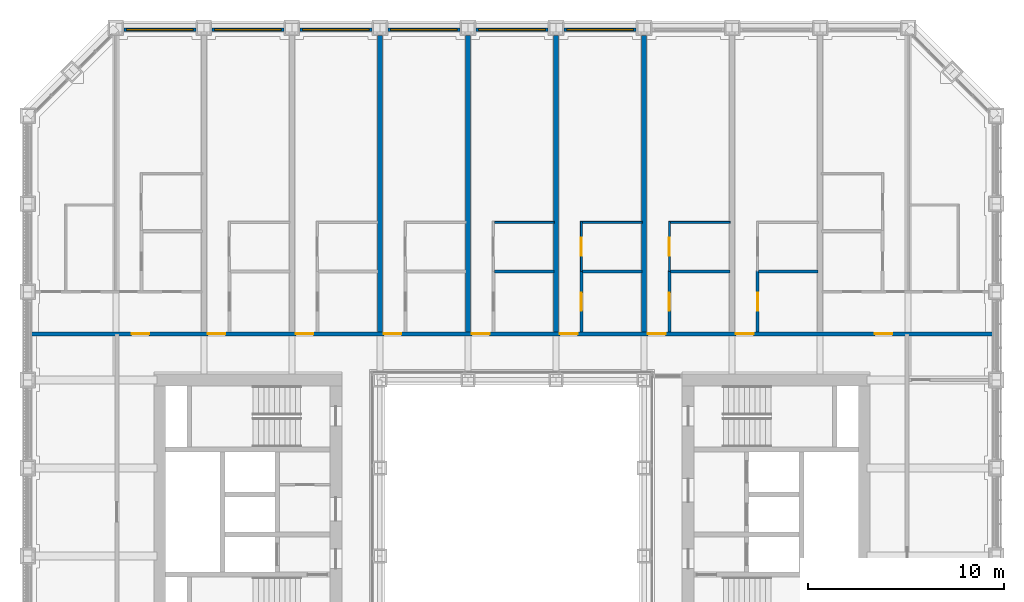
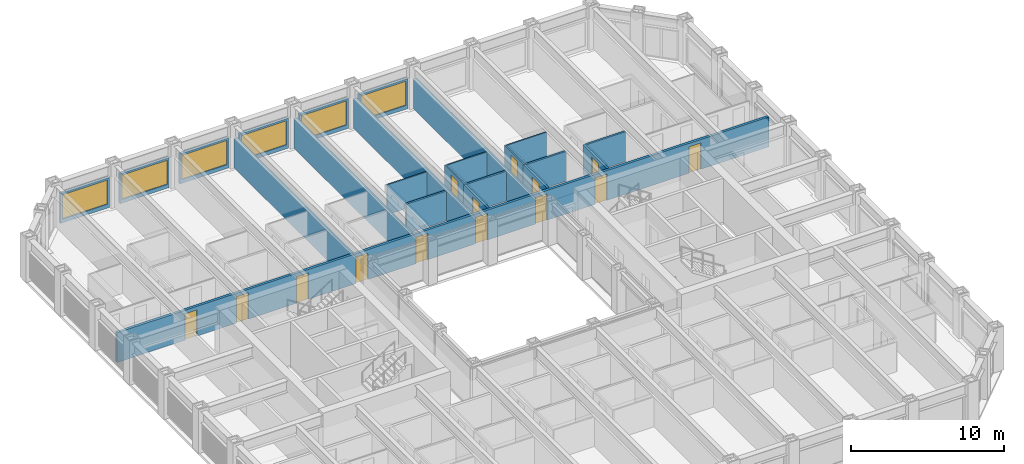
# One storey, part 14 of 21: 23 walls, 14 doors, 6 windows, 20 openings.
"""IFC4 building model written with IfcOpenShell, lengths in metres."""

from ifc_helpers import new_model, si_unit, direction, frame, frame_2d, origin, place, context, subcontext, project, spatial, rectangle, extrude, material, layer, layer_set, type_object, element, fill, save


model = new_model("IFC4")

# Units and contexts
model_context = context("Model", 3, precision=1e-05, world=origin(), true_north=direction((0.0, 1.0)))
body_context = subcontext(model_context, "Body", "Model", "MODEL_VIEW")
ifc_project = project(units=[si_unit("LENGTHUNIT", "METRE"), si_unit("AREAUNIT", "SQUARE_METRE"), si_unit("VOLUMEUNIT", "CUBIC_METRE"), si_unit("PLANEANGLEUNIT", "RADIAN"), si_unit("MASSUNIT", "GRAM", prefix="KILO")], contexts=[model_context])

# Site, building, storey
site_placement = place(None, origin())
site = spatial("IfcSite", under=ifc_project, at=site_placement, CompositionType="ELEMENT")
building_placement = place(site_placement, origin())
building = spatial("IfcBuilding", under=site, at=building_placement, Name="Msasa Ring Tower", CompositionType="ELEMENT")
storey_placement = place(building_placement, frame((0.0, 0.0, 30.0)))
storey = spatial("IfcBuildingStorey", under=building, at=storey_placement, Name="L06", CompositionType="ELEMENT", Elevation=30.0)

# Wall, opening, window
ifc_material_1 = material(Name="Terracotta rainscreen on blockwork", Category="masonry")
ifc_layer_1 = layer(ifc_material_1, 0.199951171875)
ifc_layer_set_1 = layer_set([ifc_layer_1], Name="FW1 TERRACOTTA-LINED INFILL BAY WALL 200")
wall_type_1 = type_object("IfcWallType", Name="FW1 TERRACOTTA-LINED INFILL BAY WALL 200", PredefinedType="SOLIDWALL", material=ifc_layer_set_1)
wall_1_placement = place(storey_placement, frame((-19.844970703125, 24.64990234375, 0.0), z_axis=(0.0, 0.0, 1.0), x_axis=(1.0, 0.0, 0.0)))
wall_1 = element("IfcWall", 1, at=wall_1_placement, inside=storey, type_object=wall_type_1, Name="Infill bay wall N L06 22", PredefinedType="SOLIDWALL", context=body_context, shape_type="SweptSolid", body=[
    extrude(rectangle(XDim=3.68994140625, YDim=0.199951171875, at=frame_2d((1.844970703125, 0.0))), origin(), (0.0, 0.0, 1.0), 2.37890625),
])
opening_1_placement = place(wall_1_placement, frame((0.14501953125, 0.0, 0.300048828125)))
opening_1 = element("IfcOpeningElement", 2, at=opening_1_placement, cuts=wall_1, Name="Opening WN1", PredefinedType="OPENING", context=body_context, shape_type="SweptSolid", body=[
    extrude(rectangle(XDim=3.39990234375, YDim=1.928955078125, at=frame_2d((1.699951171875, 0.96435546875))), frame((0.0, 0.10986328125, 0.0), z_axis=(0.0, -1.0, 0.0), x_axis=(1.0, 0.0, 0.0)), (0.0, 0.0, 1.0), 0.219970703125),
])
ifc_material_2 = material(Name="Aluminium frame with clear glass", Category="aluminium")
window_type = type_object("IfcWindowType", Name="WN1 RESIDENCE WINDOW 3400x1929", PartitioningType="SINGLE_PANEL", PredefinedType="WINDOW", material=ifc_material_2)
window_1_placement = place(opening_1_placement, origin())
window_1 = element("IfcWindow", 3, at=window_1_placement, inside=storey, type_object=window_type, Name="Window N L06 22", OverallHeight=1.928955078125, OverallWidth=3.39990234375, PartitioningType="SINGLE_PANEL", PredefinedType="WINDOW", context=body_context, shape_type="SweptSolid", body=[
    extrude(rectangle(XDim=3.39990234375, YDim=1.928955078125, at=frame_2d((1.699951171875, 0.96435546875))), frame((0.0, 0.030029296875, 0.0), z_axis=(0.0, -1.0, 0.0), x_axis=(1.0, 0.0, 0.0)), (0.0, 0.0, 1.0), 0.06005859375),
])
fill(opening_1, window_1)

wall_2_placement = place(storey_placement, frame((-15.344970703125, 24.64990234375, 0.0), z_axis=(0.0, 0.0, 1.0), x_axis=(1.0, 0.0, 0.0)))
wall_2 = element("IfcWall", 4, at=wall_2_placement, inside=storey, type_object=wall_type_1, Name="Infill bay wall N L06 23", PredefinedType="SOLIDWALL", context=body_context, shape_type="SweptSolid", body=[
    extrude(rectangle(XDim=3.68994140625, YDim=0.199951171875, at=frame_2d((1.844970703125, 0.0))), origin(), (0.0, 0.0, 1.0), 2.37890625),
])
opening_2_placement = place(wall_2_placement, frame((0.14501953125, 0.0, 0.300048828125)))
opening_2 = element("IfcOpeningElement", 5, at=opening_2_placement, cuts=wall_2, Name="Opening WN1", PredefinedType="OPENING", context=body_context, shape_type="SweptSolid", body=[
    extrude(rectangle(XDim=3.39990234375, YDim=1.928955078125, at=frame_2d((1.699951171875, 0.96435546875))), frame((0.0, 0.10986328125, 0.0), z_axis=(0.0, -1.0, 0.0), x_axis=(1.0, 0.0, 0.0)), (0.0, 0.0, 1.0), 0.219970703125),
])
window_2_placement = place(opening_2_placement, origin())
window_2 = element("IfcWindow", 6, at=window_2_placement, inside=storey, type_object=window_type, Name="Window N L06 23", OverallHeight=1.928955078125, OverallWidth=3.39990234375, PartitioningType="SINGLE_PANEL", PredefinedType="WINDOW", context=body_context, shape_type="SweptSolid", body=[
    extrude(rectangle(XDim=3.39990234375, YDim=1.928955078125, at=frame_2d((1.699951171875, 0.96435546875))), frame((0.0, 0.030029296875, 0.0), z_axis=(0.0, -1.0, 0.0), x_axis=(1.0, 0.0, 0.0)), (0.0, 0.0, 1.0), 0.06005859375),
])
fill(opening_2, window_2)

wall_3_placement = place(storey_placement, frame((-10.844970703125, 24.64990234375, 0.0), z_axis=(0.0, 0.0, 1.0), x_axis=(1.0, 0.0, 0.0)))
wall_3 = element("IfcWall", 7, at=wall_3_placement, inside=storey, type_object=wall_type_1, Name="Infill bay wall N L06 24", PredefinedType="SOLIDWALL", context=body_context, shape_type="SweptSolid", body=[
    extrude(rectangle(XDim=3.68994140625, YDim=0.199951171875, at=frame_2d((1.844970703125, 0.0))), origin(), (0.0, 0.0, 1.0), 2.37890625),
])
opening_3_placement = place(wall_3_placement, frame((0.14501953125, 0.0, 0.300048828125)))
opening_3 = element("IfcOpeningElement", 8, at=opening_3_placement, cuts=wall_3, Name="Opening WN1", PredefinedType="OPENING", context=body_context, shape_type="SweptSolid", body=[
    extrude(rectangle(XDim=3.39990234375, YDim=1.928955078125, at=frame_2d((1.699951171875, 0.96435546875))), frame((0.0, 0.10986328125, 0.0), z_axis=(0.0, -1.0, 0.0), x_axis=(1.0, 0.0, 0.0)), (0.0, 0.0, 1.0), 0.219970703125),
])
window_3_placement = place(opening_3_placement, origin())
window_3 = element("IfcWindow", 9, at=window_3_placement, inside=storey, type_object=window_type, Name="Window N L06 24", OverallHeight=1.928955078125, OverallWidth=3.39990234375, PartitioningType="SINGLE_PANEL", PredefinedType="WINDOW", context=body_context, shape_type="SweptSolid", body=[
    extrude(rectangle(XDim=3.39990234375, YDim=1.928955078125, at=frame_2d((1.699951171875, 0.96435546875))), frame((0.0, 0.030029296875, 0.0), z_axis=(0.0, -1.0, 0.0), x_axis=(1.0, 0.0, 0.0)), (0.0, 0.0, 1.0), 0.06005859375),
])
fill(opening_3, window_3)

wall_4_placement = place(storey_placement, frame((-6.344970703125, 24.64990234375, 0.0), z_axis=(0.0, 0.0, 1.0), x_axis=(1.0, 0.0, 0.0)))
wall_4 = element("IfcWall", 10, at=wall_4_placement, inside=storey, type_object=wall_type_1, Name="Infill bay wall N L06 25", PredefinedType="SOLIDWALL", context=body_context, shape_type="SweptSolid", body=[
    extrude(rectangle(XDim=3.68994140625, YDim=0.199951171875, at=frame_2d((1.844970703125, 0.0))), origin(), (0.0, 0.0, 1.0), 2.37890625),
])
opening_4_placement = place(wall_4_placement, frame((0.14501953125, 0.0, 0.300048828125)))
opening_4 = element("IfcOpeningElement", 11, at=opening_4_placement, cuts=wall_4, Name="Opening WN1", PredefinedType="OPENING", context=body_context, shape_type="SweptSolid", body=[
    extrude(rectangle(XDim=3.39990234375, YDim=1.928955078125, at=frame_2d((1.699951171875, 0.96435546875))), frame((0.0, 0.10986328125, 0.0), z_axis=(0.0, -1.0, 0.0), x_axis=(1.0, 0.0, 0.0)), (0.0, 0.0, 1.0), 0.219970703125),
])
window_4_placement = place(opening_4_placement, origin())
window_4 = element("IfcWindow", 12, at=window_4_placement, inside=storey, type_object=window_type, Name="Window N L06 25", OverallHeight=1.928955078125, OverallWidth=3.39990234375, PartitioningType="SINGLE_PANEL", PredefinedType="WINDOW", context=body_context, shape_type="SweptSolid", body=[
    extrude(rectangle(XDim=3.39990234375, YDim=1.928955078125, at=frame_2d((1.699951171875, 0.96435546875))), frame((0.0, 0.030029296875, 0.0), z_axis=(0.0, -1.0, 0.0), x_axis=(1.0, 0.0, 0.0)), (0.0, 0.0, 1.0), 0.06005859375),
])
fill(opening_4, window_4)

wall_5_placement = place(storey_placement, frame((-1.844970703125, 24.64990234375, 0.0), z_axis=(0.0, 0.0, 1.0), x_axis=(1.0, 0.0, 0.0)))
wall_5 = element("IfcWall", 13, at=wall_5_placement, inside=storey, type_object=wall_type_1, Name="Infill bay wall N L06 26", PredefinedType="SOLIDWALL", context=body_context, shape_type="SweptSolid", body=[
    extrude(rectangle(XDim=3.68994140625, YDim=0.199951171875, at=frame_2d((1.844970703125, 0.0))), origin(), (0.0, 0.0, 1.0), 2.37890625),
])
opening_5_placement = place(wall_5_placement, frame((0.14501953125, 0.0, 0.300048828125)))
opening_5 = element("IfcOpeningElement", 14, at=opening_5_placement, cuts=wall_5, Name="Opening WN1", PredefinedType="OPENING", context=body_context, shape_type="SweptSolid", body=[
    extrude(rectangle(XDim=3.39990234375, YDim=1.928955078125, at=frame_2d((1.699951171875, 0.96435546875))), frame((0.0, 0.10986328125, 0.0), z_axis=(0.0, -1.0, 0.0), x_axis=(1.0, 0.0, 0.0)), (0.0, 0.0, 1.0), 0.219970703125),
])
window_5_placement = place(opening_5_placement, origin())
window_5 = element("IfcWindow", 15, at=window_5_placement, inside=storey, type_object=window_type, Name="Window N L06 26", OverallHeight=1.928955078125, OverallWidth=3.39990234375, PartitioningType="SINGLE_PANEL", PredefinedType="WINDOW", context=body_context, shape_type="SweptSolid", body=[
    extrude(rectangle(XDim=3.39990234375, YDim=1.928955078125, at=frame_2d((1.699951171875, 0.96435546875))), frame((0.0, 0.030029296875, 0.0), z_axis=(0.0, -1.0, 0.0), x_axis=(1.0, 0.0, 0.0)), (0.0, 0.0, 1.0), 0.06005859375),
])
fill(opening_5, window_5)

wall_6_placement = place(storey_placement, frame((2.655029296875, 24.64990234375, 0.0), z_axis=(0.0, 0.0, 1.0), x_axis=(1.0, 0.0, 0.0)))
wall_6 = element("IfcWall", 16, at=wall_6_placement, inside=storey, type_object=wall_type_1, Name="Infill bay wall N L06 27", PredefinedType="SOLIDWALL", context=body_context, shape_type="SweptSolid", body=[
    extrude(rectangle(XDim=3.68994140625, YDim=0.199951171875, at=frame_2d((1.844970703125, 0.0))), origin(), (0.0, 0.0, 1.0), 2.37890625),
])
opening_6_placement = place(wall_6_placement, frame((0.14501953125, 0.0, 0.300048828125)))
opening_6 = element("IfcOpeningElement", 17, at=opening_6_placement, cuts=wall_6, Name="Opening WN1", PredefinedType="OPENING", context=body_context, shape_type="SweptSolid", body=[
    extrude(rectangle(XDim=3.39990234375, YDim=1.928955078125, at=frame_2d((1.699951171875, 0.96435546875))), frame((0.0, 0.10986328125, 0.0), z_axis=(0.0, -1.0, 0.0), x_axis=(1.0, 0.0, 0.0)), (0.0, 0.0, 1.0), 0.219970703125),
])
window_6_placement = place(opening_6_placement, origin())
window_6 = element("IfcWindow", 18, at=window_6_placement, inside=storey, type_object=window_type, Name="Window N L06 27", OverallHeight=1.928955078125, OverallWidth=3.39990234375, PartitioningType="SINGLE_PANEL", PredefinedType="WINDOW", context=body_context, shape_type="SweptSolid", body=[
    extrude(rectangle(XDim=3.39990234375, YDim=1.928955078125, at=frame_2d((1.699951171875, 0.96435546875))), frame((0.0, 0.030029296875, 0.0), z_axis=(0.0, -1.0, 0.0), x_axis=(1.0, 0.0, 0.0)), (0.0, 0.0, 1.0), 0.06005859375),
])
fill(opening_6, window_6)

# Wall, openings, doors
ifc_material_3 = material(Name="Concrete blockwork", Category="masonry")
ifc_layer_2 = layer(ifc_material_3, 0.199951171875)
ifc_layer_set_2 = layer_set([ifc_layer_2], Name="PT1 CORRIDOR WALL 200")
wall_type_2 = type_object("IfcWallType", Name="PT1 CORRIDOR WALL 200", PredefinedType="PARTITIONING", material=ifc_layer_set_2)
wall_7_placement = place(storey_placement, frame((-24.550048828125, 9.10009765625, 0.0), z_axis=(0.0, 0.0, 1.0), x_axis=(1.0, 0.0, 0.0)))
wall_7 = element("IfcWall", 19, at=wall_7_placement, inside=storey, type_object=wall_type_2, Name="Corridor wall L06-CORRN0", PredefinedType="PARTITIONING", context=body_context, shape_type="SweptSolid", body=[
    extrude(rectangle(XDim=49.10009765625, YDim=0.199951171875, at=frame_2d((24.550048828125, 0.0))), origin(), (0.0, 0.0, 1.0), 2.373291015625),
])
opening_7_placement = place(wall_7_placement, frame((5.10009765625, 0.0, 0.0)))
opening_7 = element("IfcOpeningElement", 20, at=opening_7_placement, cuts=wall_7, Name="Opening RA-027", PredefinedType="OPENING", context=body_context, shape_type="SweptSolid", body=[
    extrude(rectangle(XDim=0.89990234375, YDim=2.10009765625, at=frame_2d((0.449951171875, 1.050048828125))), frame((0.0, 0.10986328125, 0.0), z_axis=(0.0, -1.0, 0.0), x_axis=(1.0, 0.0, 0.0)), (0.0, 0.0, 1.0), 0.219970703125),
])
opening_8_placement = place(wall_7_placement, frame((9.0, 0.0, 0.0)))
opening_8 = element("IfcOpeningElement", 21, at=opening_8_placement, cuts=wall_7, Name="Opening RA-028", PredefinedType="OPENING", context=body_context, shape_type="SweptSolid", body=[
    extrude(rectangle(XDim=0.89990234375, YDim=2.10009765625, at=frame_2d((0.449951171875, 1.050048828125))), frame((0.0, 0.10986328125, 0.0), z_axis=(0.0, -1.0, 0.0), x_axis=(1.0, 0.0, 0.0)), (0.0, 0.0, 1.0), 0.219970703125),
])
opening_9_placement = place(wall_7_placement, frame((13.5, 0.0, 0.0)))
opening_9 = element("IfcOpeningElement", 22, at=opening_9_placement, cuts=wall_7, Name="Opening RA-029", PredefinedType="OPENING", context=body_context, shape_type="SweptSolid", body=[
    extrude(rectangle(XDim=0.89990234375, YDim=2.10009765625, at=frame_2d((0.449951171875, 1.050048828125))), frame((0.0, 0.10986328125, 0.0), z_axis=(0.0, -1.0, 0.0), x_axis=(1.0, 0.0, 0.0)), (0.0, 0.0, 1.0), 0.219970703125),
])
opening_10_placement = place(wall_7_placement, frame((18.0, 0.0, 0.0)))
opening_10 = element("IfcOpeningElement", 23, at=opening_10_placement, cuts=wall_7, Name="Opening RA-030", PredefinedType="OPENING", context=body_context, shape_type="SweptSolid", body=[
    extrude(rectangle(XDim=0.89990234375, YDim=2.10009765625, at=frame_2d((0.449951171875, 1.050048828125))), frame((0.0, 0.10986328125, 0.0), z_axis=(0.0, -1.0, 0.0), x_axis=(1.0, 0.0, 0.0)), (0.0, 0.0, 1.0), 0.219970703125),
])
opening_11_placement = place(wall_7_placement, frame((22.5, 0.0, 0.0)))
opening_11 = element("IfcOpeningElement", 24, at=opening_11_placement, cuts=wall_7, Name="Opening RA-031", PredefinedType="OPENING", context=body_context, shape_type="SweptSolid", body=[
    extrude(rectangle(XDim=0.89990234375, YDim=2.10009765625, at=frame_2d((0.449951171875, 1.050048828125))), frame((0.0, 0.10986328125, 0.0), z_axis=(0.0, -1.0, 0.0), x_axis=(1.0, 0.0, 0.0)), (0.0, 0.0, 1.0), 0.219970703125),
])
opening_12_placement = place(wall_7_placement, frame((27.0, 0.0, 0.0)))
opening_12 = element("IfcOpeningElement", 25, at=opening_12_placement, cuts=wall_7, Name="Opening RA-032", PredefinedType="OPENING", context=body_context, shape_type="SweptSolid", body=[
    extrude(rectangle(XDim=0.89990234375, YDim=2.10009765625, at=frame_2d((0.449951171875, 1.050048828125))), frame((0.0, 0.10986328125, 0.0), z_axis=(0.0, -1.0, 0.0), x_axis=(1.0, 0.0, 0.0)), (0.0, 0.0, 1.0), 0.219970703125),
])
opening_13_placement = place(wall_7_placement, frame((31.5, 0.0, 0.0)))
opening_13 = element("IfcOpeningElement", 26, at=opening_13_placement, cuts=wall_7, Name="Opening RA-033", PredefinedType="OPENING", context=body_context, shape_type="SweptSolid", body=[
    extrude(rectangle(XDim=0.89990234375, YDim=2.10009765625, at=frame_2d((0.449951171875, 1.050048828125))), frame((0.0, 0.10986328125, 0.0), z_axis=(0.0, -1.0, 0.0), x_axis=(1.0, 0.0, 0.0)), (0.0, 0.0, 1.0), 0.219970703125),
])
opening_14_placement = place(wall_7_placement, frame((36.0, 0.0, 0.0)))
opening_14 = element("IfcOpeningElement", 27, at=opening_14_placement, cuts=wall_7, Name="Opening RA-034", PredefinedType="OPENING", context=body_context, shape_type="SweptSolid", body=[
    extrude(rectangle(XDim=0.89990234375, YDim=2.10009765625, at=frame_2d((0.449951171875, 1.050048828125))), frame((0.0, 0.10986328125, 0.0), z_axis=(0.0, -1.0, 0.0), x_axis=(1.0, 0.0, 0.0)), (0.0, 0.0, 1.0), 0.219970703125),
])
opening_15_placement = place(wall_7_placement, frame((43.10009765625, 0.0, 0.0)))
opening_15 = element("IfcOpeningElement", 28, at=opening_15_placement, cuts=wall_7, Name="Opening RA-035", PredefinedType="OPENING", context=body_context, shape_type="SweptSolid", body=[
    extrude(rectangle(XDim=0.89990234375, YDim=2.10009765625, at=frame_2d((0.449951171875, 1.050048828125))), frame((0.0, 0.10986328125, 0.0), z_axis=(0.0, -1.0, 0.0), x_axis=(1.0, 0.0, 0.0)), (0.0, 0.0, 1.0), 0.219970703125),
])
ifc_material_4 = material(Name="Timber door leaf in a steel frame", Category="steel")
door_type_1 = type_object("IfcDoorType", Name="D2 ENTRANCE DOOR 900x2100", OperationType="SINGLE_SWING_LEFT", PredefinedType="DOOR", material=ifc_material_4)
door_1_placement = place(opening_7_placement, origin())
door_1 = element("IfcDoor", 29, at=door_1_placement, inside=storey, type_object=door_type_1, Name="Door L06-UN00", OperationType="SINGLE_SWING_LEFT", OverallHeight=2.10009765625, OverallWidth=0.89990234375, PredefinedType="DOOR", context=body_context, shape_type="SweptSolid", body=[
    extrude(rectangle(XDim=0.89990234375, YDim=2.10009765625, at=frame_2d((0.449951171875, 1.050048828125))), frame((0.0, 0.02490234375, 0.0), z_axis=(0.0, -1.0, 0.0), x_axis=(1.0, 0.0, 0.0)), (0.0, 0.0, 1.0), 0.050048828125),
])
fill(opening_7, door_1)
door_2_placement = place(opening_8_placement, origin())
door_2 = element("IfcDoor", 30, at=door_2_placement, inside=storey, type_object=door_type_1, Name="Door L06-UN01", OperationType="SINGLE_SWING_LEFT", OverallHeight=2.10009765625, OverallWidth=0.89990234375, PredefinedType="DOOR", context=body_context, shape_type="SweptSolid", body=[
    extrude(rectangle(XDim=0.89990234375, YDim=2.10009765625, at=frame_2d((0.449951171875, 1.050048828125))), frame((0.0, 0.02490234375, 0.0), z_axis=(0.0, -1.0, 0.0), x_axis=(1.0, 0.0, 0.0)), (0.0, 0.0, 1.0), 0.050048828125),
])
fill(opening_8, door_2)
door_3_placement = place(opening_9_placement, origin())
door_3 = element("IfcDoor", 31, at=door_3_placement, inside=storey, type_object=door_type_1, Name="Door L06-UN02", OperationType="SINGLE_SWING_LEFT", OverallHeight=2.10009765625, OverallWidth=0.89990234375, PredefinedType="DOOR", context=body_context, shape_type="SweptSolid", body=[
    extrude(rectangle(XDim=0.89990234375, YDim=2.10009765625, at=frame_2d((0.449951171875, 1.050048828125))), frame((0.0, 0.02490234375, 0.0), z_axis=(0.0, -1.0, 0.0), x_axis=(1.0, 0.0, 0.0)), (0.0, 0.0, 1.0), 0.050048828125),
])
fill(opening_9, door_3)
door_4_placement = place(opening_10_placement, origin())
door_4 = element("IfcDoor", 32, at=door_4_placement, inside=storey, type_object=door_type_1, Name="Door L06-UN03", OperationType="SINGLE_SWING_LEFT", OverallHeight=2.10009765625, OverallWidth=0.89990234375, PredefinedType="DOOR", context=body_context, shape_type="SweptSolid", body=[
    extrude(rectangle(XDim=0.89990234375, YDim=2.10009765625, at=frame_2d((0.449951171875, 1.050048828125))), frame((0.0, 0.02490234375, 0.0), z_axis=(0.0, -1.0, 0.0), x_axis=(1.0, 0.0, 0.0)), (0.0, 0.0, 1.0), 0.050048828125),
])
fill(opening_10, door_4)
door_5_placement = place(opening_11_placement, origin())
door_5 = element("IfcDoor", 33, at=door_5_placement, inside=storey, type_object=door_type_1, Name="Door L06-UN04", OperationType="SINGLE_SWING_LEFT", OverallHeight=2.10009765625, OverallWidth=0.89990234375, PredefinedType="DOOR", context=body_context, shape_type="SweptSolid", body=[
    extrude(rectangle(XDim=0.89990234375, YDim=2.10009765625, at=frame_2d((0.449951171875, 1.050048828125))), frame((0.0, 0.02490234375, 0.0), z_axis=(0.0, -1.0, 0.0), x_axis=(1.0, 0.0, 0.0)), (0.0, 0.0, 1.0), 0.050048828125),
])
fill(opening_11, door_5)
door_6_placement = place(opening_12_placement, origin())
door_6 = element("IfcDoor", 34, at=door_6_placement, inside=storey, type_object=door_type_1, Name="Door L06-UN05", OperationType="SINGLE_SWING_RIGHT", OverallHeight=2.10009765625, OverallWidth=0.89990234375, PredefinedType="DOOR", context=body_context, shape_type="SweptSolid", body=[
    extrude(rectangle(XDim=0.89990234375, YDim=2.10009765625, at=frame_2d((0.449951171875, 1.050048828125))), frame((0.0, 0.02490234375, 0.0), z_axis=(0.0, -1.0, 0.0), x_axis=(1.0, 0.0, 0.0)), (0.0, 0.0, 1.0), 0.050048828125),
])
fill(opening_12, door_6)
door_7_placement = place(opening_13_placement, origin())
door_7 = element("IfcDoor", 35, at=door_7_placement, inside=storey, type_object=door_type_1, Name="Door L06-UN06", OperationType="SINGLE_SWING_RIGHT", OverallHeight=2.10009765625, OverallWidth=0.89990234375, PredefinedType="DOOR", context=body_context, shape_type="SweptSolid", body=[
    extrude(rectangle(XDim=0.89990234375, YDim=2.10009765625, at=frame_2d((0.449951171875, 1.050048828125))), frame((0.0, 0.02490234375, 0.0), z_axis=(0.0, -1.0, 0.0), x_axis=(1.0, 0.0, 0.0)), (0.0, 0.0, 1.0), 0.050048828125),
])
fill(opening_13, door_7)
door_8_placement = place(opening_14_placement, origin())
door_8 = element("IfcDoor", 36, at=door_8_placement, inside=storey, type_object=door_type_1, Name="Door L06-UN07", OperationType="SINGLE_SWING_RIGHT", OverallHeight=2.10009765625, OverallWidth=0.89990234375, PredefinedType="DOOR", context=body_context, shape_type="SweptSolid", body=[
    extrude(rectangle(XDim=0.89990234375, YDim=2.10009765625, at=frame_2d((0.449951171875, 1.050048828125))), frame((0.0, 0.02490234375, 0.0), z_axis=(0.0, -1.0, 0.0), x_axis=(1.0, 0.0, 0.0)), (0.0, 0.0, 1.0), 0.050048828125),
])
fill(opening_14, door_8)
door_9_placement = place(opening_15_placement, origin())
door_9 = element("IfcDoor", 37, at=door_9_placement, inside=storey, type_object=door_type_1, Name="Door L06-UN08", OperationType="SINGLE_SWING_RIGHT", OverallHeight=2.10009765625, OverallWidth=0.89990234375, PredefinedType="DOOR", context=body_context, shape_type="SweptSolid", body=[
    extrude(rectangle(XDim=0.89990234375, YDim=2.10009765625, at=frame_2d((0.449951171875, 1.050048828125))), frame((0.0, 0.02490234375, 0.0), z_axis=(0.0, -1.0, 0.0), x_axis=(1.0, 0.0, 0.0)), (0.0, 0.0, 1.0), 0.050048828125),
])
fill(opening_15, door_9)

# Walls
ifc_material_5 = material(Name="Gypsum board on steel studs", Category="steel")
ifc_layer_3 = layer(ifc_material_5, 0.10009765625)
ifc_layer_set_3 = layer_set([ifc_layer_3], Name="PT2 STUD PARTITION 100")
wall_type_3 = type_object("IfcWallType", Name="PT2 STUD PARTITION 100", PredefinedType="PARTITIONING", material=ifc_layer_set_3)
for number, where, z_axis, x_axis, name in (
    (38, (-0.89990234375, 14.800048828125, 0.0), (0.0, 0.0, 1.0), (1.0, 0.0, 0.0), "Partition L06-UN04KY"),
    (39, (3.60009765625, 14.800048828125, 0.0), (0.0, 0.0, 1.0), (1.0, 0.0, 0.0), "Partition L06-UN05KY"),
):
    element("IfcWall", number, at=place(storey_placement, frame(where, z_axis=z_axis, x_axis=x_axis)), inside=storey, type_object=wall_type_3, Name=name, PredefinedType="PARTITIONING", context=body_context, shape_type="SweptSolid", body=[
        extrude(rectangle(XDim=3.0498046875, YDim=0.10009765625, at=frame_2d((1.52490234375, 0.0))), origin(), (0.0, 0.0, 1.0), 2.373291015625),
    ])

# Wall, opening, door
wall_8_placement = place(storey_placement, frame((3.550048828125, 12.300048828125, 0.0), z_axis=(0.0, 0.0, 1.0), x_axis=(0.0, 1.0, 0.0)))
wall_8 = element("IfcWall", 40, at=wall_8_placement, inside=storey, type_object=wall_type_3, Name="Partition L06-UN05KX", PredefinedType="PARTITIONING", context=body_context, shape_type="SweptSolid", body=[
    extrude(rectangle(XDim=2.550048828125, YDim=0.10009765625, at=frame_2d((1.27490234375, 0.0))), origin(), (0.0, 0.0, 1.0), 2.373291015625),
])
opening_16_placement = place(wall_8_placement, frame((0.81005859375, 0.0, 0.0)))
opening_16 = element("IfcOpeningElement", 41, at=opening_16_placement, cuts=wall_8, Name="Opening RA-007", PredefinedType="OPENING", context=body_context, shape_type="SweptSolid", body=[
    extrude(rectangle(XDim=0.89990234375, YDim=2.10009765625, at=frame_2d((0.449951171875, 1.050048828125))), frame((0.0, 0.06005859375, 0.0), z_axis=(0.0, -1.0, 0.0), x_axis=(1.0, 0.0, 0.0)), (0.0, 0.0, 1.0), 0.1201171875),
])
ifc_material_6 = material(Name="Timber door leaf in a steel frame", Category="steel")
door_type_2 = type_object("IfcDoorType", Name="D22 INTERNAL HALL DOOR 900x2100", OperationType="SINGLE_SWING_LEFT", PredefinedType="DOOR", material=ifc_material_6)
door_10_placement = place(opening_16_placement, origin())
door_10 = element("IfcDoor", 42, at=door_10_placement, inside=storey, type_object=door_type_2, Name="Door L06-UN05K", OperationType="SINGLE_SWING_LEFT", OverallHeight=2.10009765625, OverallWidth=0.89990234375, PredefinedType="DOOR", context=body_context, shape_type="SweptSolid", body=[
    extrude(rectangle(XDim=0.89990234375, YDim=2.10009765625, at=frame_2d((0.449951171875, 1.050048828125))), frame((0.0, 0.02490234375, 0.0), z_axis=(0.0, -1.0, 0.0), x_axis=(1.0, 0.0, 0.0)), (0.0, 0.0, 1.0), 0.050048828125),
])
fill(opening_16, door_10)

# Wall
wall_9_placement = place(storey_placement, frame((8.10009765625, 14.800048828125, 0.0), z_axis=(0.0, 0.0, 1.0), x_axis=(1.0, 0.0, 0.0)))
element("IfcWall", 43, at=wall_9_placement, inside=storey, type_object=wall_type_3, Name="Partition L06-UN06KY", PredefinedType="PARTITIONING", context=body_context, shape_type="SweptSolid", body=[
    extrude(rectangle(XDim=3.0498046875, YDim=0.10009765625, at=frame_2d((1.52490234375, 0.0))), origin(), (0.0, 0.0, 1.0), 2.373291015625),
])

# Wall, opening, door
wall_10_placement = place(storey_placement, frame((8.050048828125, 12.300048828125, 0.0), z_axis=(0.0, 0.0, 1.0), x_axis=(0.0, 1.0, 0.0)))
wall_10 = element("IfcWall", 44, at=wall_10_placement, inside=storey, type_object=wall_type_3, Name="Partition L06-UN06KX", PredefinedType="PARTITIONING", context=body_context, shape_type="SweptSolid", body=[
    extrude(rectangle(XDim=2.550048828125, YDim=0.10009765625, at=frame_2d((1.27490234375, 0.0))), origin(), (0.0, 0.0, 1.0), 2.373291015625),
])
opening_17_placement = place(wall_10_placement, frame((0.81005859375, 0.0, 0.0)))
opening_17 = element("IfcOpeningElement", 45, at=opening_17_placement, cuts=wall_10, Name="Opening RA-008", PredefinedType="OPENING", context=body_context, shape_type="SweptSolid", body=[
    extrude(rectangle(XDim=0.89990234375, YDim=2.10009765625, at=frame_2d((0.449951171875, 1.050048828125))), frame((0.0, 0.06005859375, 0.0), z_axis=(0.0, -1.0, 0.0), x_axis=(1.0, 0.0, 0.0)), (0.0, 0.0, 1.0), 0.1201171875),
])
door_11_placement = place(opening_17_placement, origin())
door_11 = element("IfcDoor", 46, at=door_11_placement, inside=storey, type_object=door_type_2, Name="Door L06-UN06K", OperationType="SINGLE_SWING_LEFT", OverallHeight=2.10009765625, OverallWidth=0.89990234375, PredefinedType="DOOR", context=body_context, shape_type="SweptSolid", body=[
    extrude(rectangle(XDim=0.89990234375, YDim=2.10009765625, at=frame_2d((0.449951171875, 1.050048828125))), frame((0.0, 0.02490234375, 0.0), z_axis=(0.0, -1.0, 0.0), x_axis=(1.0, 0.0, 0.0)), (0.0, 0.0, 1.0), 0.050048828125),
])
fill(opening_17, door_11)

# Walls
ifc_material_7 = material(Name="Dense concrete blockwork, plastered both faces", Category="masonry")
ifc_layer_4 = layer(ifc_material_7, 0.25)
ifc_layer_set_4 = layer_set([ifc_layer_4], Name="PT3 APARTMENT SEPARATING WALL 250")
wall_type_4 = type_object("IfcWallType", Name="PT3 APARTMENT SEPARATING WALL 250", PredefinedType="PARTITIONING", material=ifc_layer_set_4)
for number, where, z_axis, x_axis, name in (
    (47, (-6.75, 9.199951171875, 0.0), (0.0, 0.0, 1.0), (0.0, 1.0, 0.0), "Party wall L06-PWN-6.75"),
    (48, (-2.25, 9.199951171875, 0.0), (0.0, 0.0, 1.0), (0.0, 1.0, 0.0), "Party wall L06-PWN-2.25"),
    (49, (2.25, 9.199951171875, 0.0), (0.0, 0.0, 1.0), (0.0, 1.0, 0.0), "Party wall L06-PWN+2.25"),
    (50, (6.75, 9.199951171875, 0.0), (0.0, 0.0, 1.0), (0.0, 1.0, 0.0), "Party wall L06-PWN+6.75"),
):
    element("IfcWall", number, at=place(storey_placement, frame(where, z_axis=z_axis, x_axis=x_axis)), inside=storey, type_object=wall_type_4, Name=name, PredefinedType="PARTITIONING", context=body_context, shape_type="SweptSolid", body=[
        extrude(rectangle(XDim=15.150146484375, YDim=0.25, at=frame_2d((7.5751953125, 0.0))), origin(), (0.0, 0.0, 1.0), 2.373291015625),
    ])
ifc_material_8 = material(Name="Moisture-resistant board on steel studs with a concealed cistern and pipe void, tiled", Category="steel")
ifc_layer_5 = layer(ifc_material_8, 0.14990234375)
ifc_layer_set_5 = layer_set([ifc_layer_5], Name="PT4 BATHROOM WET WALL 150")
wall_type_5 = type_object("IfcWallType", Name="PT4 BATHROOM WET WALL 150", PredefinedType="PARTITIONING", material=ifc_layer_set_5)
wall_11_placement = place(storey_placement, frame((-0.89990234375, 12.300048828125, 0.0), z_axis=(0.0, 0.0, 1.0), x_axis=(1.0, 0.0, 0.0)))
element("IfcWall", 51, at=wall_11_placement, inside=storey, type_object=wall_type_5, Name="Partition L06-UN04BY", PredefinedType="PARTITIONING", context=body_context, shape_type="SweptSolid", body=[
    extrude(rectangle(XDim=3.0498046875, YDim=0.14990234375, at=frame_2d((1.52490234375, 0.0))), origin(), (0.0, 0.0, 1.0), 2.373291015625),
])

# Wall, opening, door
wall_12_placement = place(storey_placement, frame((3.550048828125, 9.199951171875, 0.0), z_axis=(0.0, 0.0, 1.0), x_axis=(0.0, 1.0, 0.0)))
wall_12 = element("IfcWall", 52, at=wall_12_placement, inside=storey, type_object=wall_type_5, Name="Partition L06-UN05BX", PredefinedType="PARTITIONING", context=body_context, shape_type="SweptSolid", body=[
    extrude(rectangle(XDim=3.150146484375, YDim=0.14990234375, at=frame_2d((1.5751953125, 0.0))), origin(), (0.0, 0.0, 1.0), 2.373291015625),
])
opening_18_placement = place(wall_12_placement, frame((1.10009765625, 0.0, 0.0)))
opening_18 = element("IfcOpeningElement", 53, at=opening_18_placement, cuts=wall_12, Name="Opening RA-024", PredefinedType="OPENING", context=body_context, shape_type="SweptSolid", body=[
    extrude(rectangle(XDim=0.89990234375, YDim=2.10009765625, at=frame_2d((0.449951171875, 1.050048828125))), frame((0.0, 0.0849609375, 0.0), z_axis=(0.0, -1.0, 0.0), x_axis=(1.0, 0.0, 0.0)), (0.0, 0.0, 1.0), 0.169921875),
])
ifc_material_9 = material(Name="Timber door leaf in a steel frame", Category="steel")
door_type_3 = type_object("IfcDoorType", Name="D3 BATHROOM DOOR 900x2100", OperationType="SINGLE_SWING_LEFT", PredefinedType="DOOR", material=ifc_material_9)
door_12_placement = place(opening_18_placement, origin())
door_12 = element("IfcDoor", 54, at=door_12_placement, inside=storey, type_object=door_type_3, Name="Door L06-UN05B", OperationType="SINGLE_SWING_LEFT", OverallHeight=2.10009765625, OverallWidth=0.89990234375, PredefinedType="DOOR", context=body_context, shape_type="SweptSolid", body=[
    extrude(rectangle(XDim=0.89990234375, YDim=2.10009765625, at=frame_2d((0.449951171875, 1.050048828125))), frame((0.0, 0.02490234375, 0.0), z_axis=(0.0, -1.0, 0.0), x_axis=(1.0, 0.0, 0.0)), (0.0, 0.0, 1.0), 0.050048828125),
])
fill(opening_18, door_12)

# Wall
wall_13_placement = place(storey_placement, frame((3.60009765625, 12.300048828125, 0.0), z_axis=(0.0, 0.0, 1.0), x_axis=(1.0, 0.0, 0.0)))
element("IfcWall", 55, at=wall_13_placement, inside=storey, type_object=wall_type_5, Name="Partition L06-UN05BY", PredefinedType="PARTITIONING", context=body_context, shape_type="SweptSolid", body=[
    extrude(rectangle(XDim=3.0498046875, YDim=0.14990234375, at=frame_2d((1.52490234375, 0.0))), origin(), (0.0, 0.0, 1.0), 2.373291015625),
])

# Wall, opening, door
wall_14_placement = place(storey_placement, frame((8.050048828125, 9.199951171875, 0.0), z_axis=(0.0, 0.0, 1.0), x_axis=(0.0, 1.0, 0.0)))
wall_14 = element("IfcWall", 56, at=wall_14_placement, inside=storey, type_object=wall_type_5, Name="Partition L06-UN06BX", PredefinedType="PARTITIONING", context=body_context, shape_type="SweptSolid", body=[
    extrude(rectangle(XDim=3.150146484375, YDim=0.14990234375, at=frame_2d((1.5751953125, 0.0))), origin(), (0.0, 0.0, 1.0), 2.373291015625),
])
opening_19_placement = place(wall_14_placement, frame((1.10009765625, 0.0, 0.0)))
opening_19 = element("IfcOpeningElement", 57, at=opening_19_placement, cuts=wall_14, Name="Opening RA-025", PredefinedType="OPENING", context=body_context, shape_type="SweptSolid", body=[
    extrude(rectangle(XDim=0.89990234375, YDim=2.10009765625, at=frame_2d((0.449951171875, 1.050048828125))), frame((0.0, 0.0849609375, 0.0), z_axis=(0.0, -1.0, 0.0), x_axis=(1.0, 0.0, 0.0)), (0.0, 0.0, 1.0), 0.169921875),
])
door_13_placement = place(opening_19_placement, origin())
door_13 = element("IfcDoor", 58, at=door_13_placement, inside=storey, type_object=door_type_3, Name="Door L06-UN06B", OperationType="SINGLE_SWING_LEFT", OverallHeight=2.10009765625, OverallWidth=0.89990234375, PredefinedType="DOOR", context=body_context, shape_type="SweptSolid", body=[
    extrude(rectangle(XDim=0.89990234375, YDim=2.10009765625, at=frame_2d((0.449951171875, 1.050048828125))), frame((0.0, 0.02490234375, 0.0), z_axis=(0.0, -1.0, 0.0), x_axis=(1.0, 0.0, 0.0)), (0.0, 0.0, 1.0), 0.050048828125),
])
fill(opening_19, door_13)

# Wall
wall_15_placement = place(storey_placement, frame((8.10009765625, 12.300048828125, 0.0), z_axis=(0.0, 0.0, 1.0), x_axis=(1.0, 0.0, 0.0)))
element("IfcWall", 59, at=wall_15_placement, inside=storey, type_object=wall_type_5, Name="Partition L06-UN06BY", PredefinedType="PARTITIONING", context=body_context, shape_type="SweptSolid", body=[
    extrude(rectangle(XDim=3.0498046875, YDim=0.14990234375, at=frame_2d((1.52490234375, 0.0))), origin(), (0.0, 0.0, 1.0), 2.373291015625),
])

# Wall, opening, door
wall_16_placement = place(storey_placement, frame((12.550048828125, 9.199951171875, 0.0), z_axis=(0.0, 0.0, 1.0), x_axis=(0.0, 1.0, 0.0)))
wall_16 = element("IfcWall", 60, at=wall_16_placement, inside=storey, type_object=wall_type_5, Name="Partition L06-UN07BX", PredefinedType="PARTITIONING", context=body_context, shape_type="SweptSolid", body=[
    extrude(rectangle(XDim=3.150146484375, YDim=0.14990234375, at=frame_2d((1.5751953125, 0.0))), origin(), (0.0, 0.0, 1.0), 2.373291015625),
])
opening_20_placement = place(wall_16_placement, frame((1.10009765625, 0.0, 0.0)))
opening_20 = element("IfcOpeningElement", 61, at=opening_20_placement, cuts=wall_16, Name="Opening RA-026", PredefinedType="OPENING", context=body_context, shape_type="SweptSolid", body=[
    extrude(rectangle(XDim=0.89990234375, YDim=2.10009765625, at=frame_2d((0.449951171875, 1.050048828125))), frame((0.0, 0.0849609375, 0.0), z_axis=(0.0, -1.0, 0.0), x_axis=(1.0, 0.0, 0.0)), (0.0, 0.0, 1.0), 0.169921875),
])
door_14_placement = place(opening_20_placement, origin())
door_14 = element("IfcDoor", 62, at=door_14_placement, inside=storey, type_object=door_type_3, Name="Door L06-UN07B", OperationType="SINGLE_SWING_LEFT", OverallHeight=2.10009765625, OverallWidth=0.89990234375, PredefinedType="DOOR", context=body_context, shape_type="SweptSolid", body=[
    extrude(rectangle(XDim=0.89990234375, YDim=2.10009765625, at=frame_2d((0.449951171875, 1.050048828125))), frame((0.0, 0.02490234375, 0.0), z_axis=(0.0, -1.0, 0.0), x_axis=(1.0, 0.0, 0.0)), (0.0, 0.0, 1.0), 0.050048828125),
])
fill(opening_20, door_14)

# Wall
wall_17_placement = place(storey_placement, frame((12.60009765625, 12.300048828125, 0.0), z_axis=(0.0, 0.0, 1.0), x_axis=(1.0, 0.0, 0.0)))
element("IfcWall", 63, at=wall_17_placement, inside=storey, type_object=wall_type_5, Name="Partition L06-UN07BY", PredefinedType="PARTITIONING", context=body_context, shape_type="SweptSolid", body=[
    extrude(rectangle(XDim=3.0498046875, YDim=0.14990234375, at=frame_2d((1.52490234375, 0.0))), origin(), (0.0, 0.0, 1.0), 2.373291015625),
])

save(model, "model.ifc")
